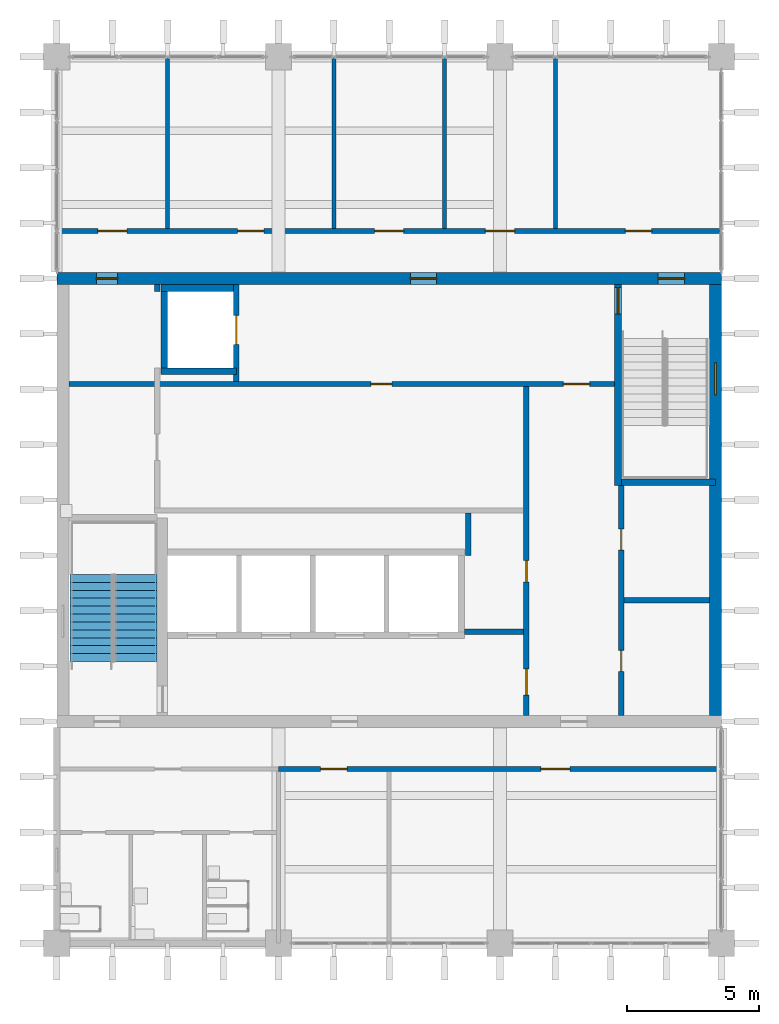
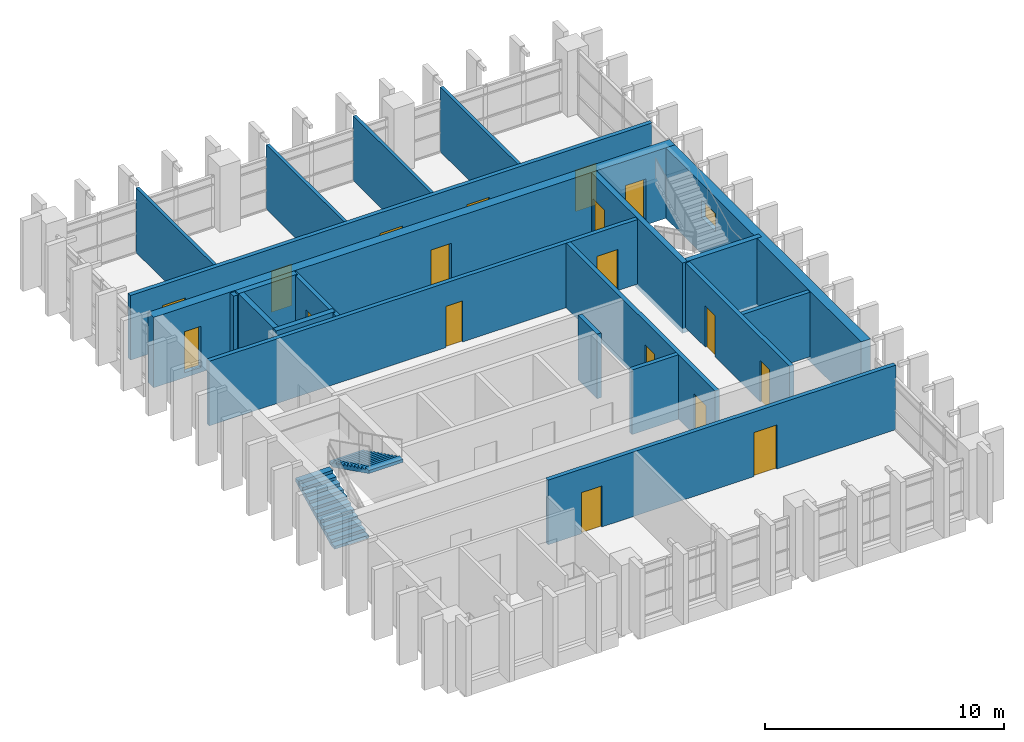
# One storey, part 8 of 11: 21 walls, 18 doors, 2 stair flights, 1 window, 19 openings, 1 element without a shape of its own.
"""IFC4 building model written with IfcOpenShell, lengths in metres."""

from ifc_helpers import new_model, si_unit, direction, frame, frame_2d, origin, place, context, subcontext, project, spatial, polyline, rectangle, outline, extrude, material, layer, layer_set, type_object, element, fill, aggregate, save


model = new_model("IFC4")

# Units and contexts
model_context = context("Model", 3, precision=1e-05, world=origin(), true_north=direction((0.0, 1.0)))
body_context = subcontext(model_context, "Body", "Model", "MODEL_VIEW")
ifc_project = project(units=[si_unit("LENGTHUNIT", "METRE"), si_unit("AREAUNIT", "SQUARE_METRE"), si_unit("VOLUMEUNIT", "CUBIC_METRE"), si_unit("PLANEANGLEUNIT", "RADIAN"), si_unit("MASSUNIT", "GRAM", prefix="KILO")], contexts=[model_context])

# Site, building, storey
site_placement = place(None, origin())
site = spatial("IfcSite", under=ifc_project, at=site_placement, CompositionType="ELEMENT")
building_placement = place(site_placement, origin())
building = spatial("IfcBuilding", under=site, at=building_placement, Name="Rulbaag Community and Learning Centre", CompositionType="ELEMENT")
storey_placement = place(building_placement, frame((0.0, 0.0, 18.0)))
storey = spatial("IfcBuildingStorey", under=building, at=storey_placement, Name="L04", CompositionType="ELEMENT", Elevation=18.0)

# Wall, openings, doors
ifc_material_1 = material(Name="Concrete blockwork", Category="masonry")
ifc_layer_1 = layer(ifc_material_1, 0.199951171875)
ifc_layer_set_1 = layer_set([ifc_layer_1], Name="FW-200 FIRE WALL 200")
wall_type_1 = type_object("IfcWallType", Name="FW-200 FIRE WALL 200", PredefinedType="SOLIDWALL", material=ifc_layer_set_1)
wall_1_placement = place(storey_placement, frame((151.199951171875, 90.60009765625, 0.0), z_axis=(0.0, 0.0, 1.0), x_axis=(1.0, 0.0, 0.0)))
wall_1 = element("IfcWall", 1, at=wall_1_placement, inside=storey, type_object=wall_type_1, Name="Fire wall L04 3", PredefinedType="SOLIDWALL", context=body_context, shape_type="SweptSolid", body=[
    extrude(rectangle(XDim=16.800048828125, YDim=0.199951171875, at=frame_2d((8.39990234375, 0.0))), origin(), (0.0, 0.0, 1.0), 3.300048828125),
])
opening_1_placement = place(wall_1_placement, frame((1.60009765625, 0.0, 0.0)))
opening_1 = element("IfcOpeningElement", 2, at=opening_1_placement, cuts=wall_1, Name="Opening L04-D017", PredefinedType="OPENING", context=body_context, shape_type="SweptSolid", body=[
    extrude(rectangle(XDim=1.0, YDim=2.10009765625, at=frame_2d((0.5, 1.050048828125))), frame((0.0, 0.10986328125, 0.0), z_axis=(0.0, -1.0, 0.0), x_axis=(1.0, 0.0, 0.0)), (0.0, 0.0, 1.0), 0.219970703125),
])
opening_2_placement = place(wall_1_placement, frame((9.949951171875, 0.0, 0.0)))
opening_2 = element("IfcOpeningElement", 3, at=opening_2_placement, cuts=wall_1, Name="Opening L04-D027", PredefinedType="OPENING", context=body_context, shape_type="SweptSolid", body=[
    extrude(rectangle(XDim=1.10009765625, YDim=2.25, at=frame_2d((0.550048828125, 1.125))), frame((0.0, 0.10986328125, 0.0), z_axis=(0.0, -1.0, 0.0), x_axis=(1.0, 0.0, 0.0)), (0.0, 0.0, 1.0), 0.219970703125),
])
ifc_material_2 = material(Name="Timber", Category="wood")
door_type_1 = type_object("IfcDoorType", Name="D-1100 OFFICE SUITE ENTRANCE DOOR 1100 x 2250", OperationType="SINGLE_SWING_LEFT", PredefinedType="DOOR", material=ifc_material_2)
door_1_placement = place(opening_2_placement, origin())
door_1 = element("IfcDoor", 4, at=door_1_placement, inside=storey, type_object=door_type_1, Name="Door L04-D027", OperationType="SINGLE_SWING_RIGHT", OverallHeight=2.25, OverallWidth=1.10009765625, PredefinedType="DOOR", context=body_context, shape_type="SweptSolid", body=[
    extrude(rectangle(XDim=1.10009765625, YDim=2.25, at=frame_2d((0.550048828125, 1.125))), frame((0.0, 0.02490234375, 0.0), z_axis=(0.0, -1.0, 0.0), x_axis=(1.0, 0.0, 0.0)), (0.0, 0.0, 1.0), 0.050048828125),
])
fill(opening_2, door_1)
ifc_material_3 = material(Name="Galvanised steel", Category="steel")
door_type_2 = type_object("IfcDoorType", Name="FD-1000 FIRE DOOR 1000 x 2100", OperationType="SINGLE_SWING_LEFT", PredefinedType="DOOR", material=ifc_material_3)
door_2_placement = place(opening_1_placement, origin())
door_2 = element("IfcDoor", 5, at=door_2_placement, inside=storey, type_object=door_type_2, Name="Door L04-D017", OperationType="SINGLE_SWING_LEFT", OverallHeight=2.10009765625, OverallWidth=1.0, PredefinedType="DOOR", context=body_context, shape_type="SweptSolid", body=[
    extrude(rectangle(XDim=1.0, YDim=2.10009765625, at=frame_2d((0.5, 1.050048828125))), frame((0.0, 0.02490234375, 0.0), z_axis=(0.0, -1.0, 0.0), x_axis=(1.0, 0.0, 0.0)), (0.0, 0.0, 1.0), 0.050048828125),
])
fill(opening_1, door_2)

# Walls
wall_2_placement = place(storey_placement, frame((158.25, 95.800048828125, 0.0), z_axis=(0.0, 0.0, 1.0), x_axis=(1.0, 0.0, 0.0)))
element("IfcWall", 6, at=wall_2_placement, inside=storey, type_object=wall_type_1, Name="Fire wall L04 5", PredefinedType="SOLIDWALL", context=body_context, shape_type="SweptSolid", body=[
    extrude(rectangle(XDim=2.25, YDim=0.199951171875, at=frame_2d((1.125, 0.0))), origin(), (0.0, 0.0, 1.0), 3.300048828125),
])
wall_3_placement = place(storey_placement, frame((164.300048828125, 97.0, 0.0), z_axis=(0.0, 0.0, 1.0), x_axis=(1.0, 0.0, 0.0)))
element("IfcWall", 7, at=wall_3_placement, inside=storey, type_object=wall_type_1, Name="Fire wall L04 6", PredefinedType="SOLIDWALL", context=body_context, shape_type="SweptSolid", body=[
    extrude(rectangle(XDim=3.25, YDim=0.199951171875, at=frame_2d((1.625, 0.0))), origin(), (0.0, 0.0, 1.0), 3.300048828125),
])

# Wall, openings, doors
wall_4_placement = place(storey_placement, frame((143.25, 105.199951171875, 0.0), z_axis=(0.0, 0.0, 1.0), x_axis=(1.0, 0.0, 0.0)))
wall_4 = element("IfcWall", 8, at=wall_4_placement, inside=storey, type_object=wall_type_1, Name="Fire wall L04 9", PredefinedType="SOLIDWALL", context=body_context, shape_type="SweptSolid", body=[
    extrude(rectangle(XDim=20.699951171875, YDim=0.199951171875, at=frame_2d((10.35009765625, 0.0))), origin(), (0.0, 0.0, 1.0), 3.300048828125),
])
opening_3_placement = place(wall_4_placement, frame((11.449951171875, 0.0, 0.0)))
opening_3 = element("IfcOpeningElement", 9, at=opening_3_placement, cuts=wall_4, Name="Opening L04-D020", PredefinedType="OPENING", context=body_context, shape_type="SweptSolid", body=[
    extrude(rectangle(XDim=0.800048828125, YDim=2.10009765625, at=frame_2d((0.39990234375, 1.050048828125))), frame((0.0, 0.10986328125, 0.0), z_axis=(0.0, -1.0, 0.0), x_axis=(1.0, 0.0, 0.0)), (0.0, 0.0, 1.0), 0.219970703125),
])
opening_4_placement = place(wall_4_placement, frame((18.75, 0.0, 0.0)))
opening_4 = element("IfcOpeningElement", 10, at=opening_4_placement, cuts=wall_4, Name="Opening L04-D029", PredefinedType="OPENING", context=body_context, shape_type="SweptSolid", body=[
    extrude(rectangle(XDim=1.0, YDim=2.10009765625, at=frame_2d((0.5, 1.050048828125))), frame((0.0, 0.10986328125, 0.0), z_axis=(0.0, -1.0, 0.0), x_axis=(1.0, 0.0, 0.0)), (0.0, 0.0, 1.0), 0.219970703125),
])
door_3_placement = place(opening_4_placement, origin())
door_3 = element("IfcDoor", 11, at=door_3_placement, inside=storey, type_object=door_type_2, Name="Door L04-D029", OperationType="SINGLE_SWING_LEFT", OverallHeight=2.10009765625, OverallWidth=1.0, PredefinedType="DOOR", context=body_context, shape_type="SweptSolid", body=[
    extrude(rectangle(XDim=1.0, YDim=2.10009765625, at=frame_2d((0.5, 1.050048828125))), frame((0.0, 0.02490234375, 0.0), z_axis=(0.0, -1.0, 0.0), x_axis=(1.0, 0.0, 0.0)), (0.0, 0.0, 1.0), 0.050048828125),
])
fill(opening_4, door_3)
door_type_3 = type_object("IfcDoorType", Name="FDR-800 RISER FIRE DOOR 800 x 2100", OperationType="SINGLE_SWING_LEFT", PredefinedType="DOOR", material=ifc_material_3)
door_4_placement = place(opening_3_placement, origin())
door_4 = element("IfcDoor", 12, at=door_4_placement, inside=storey, type_object=door_type_3, Name="Riser door L04-D023", OperationType="SINGLE_SWING_RIGHT", OverallHeight=2.10009765625, OverallWidth=0.800048828125, PredefinedType="DOOR", context=body_context, shape_type="SweptSolid", body=[
    extrude(rectangle(XDim=0.800048828125, YDim=2.10009765625, at=frame_2d((0.39990234375, 1.050048828125))), frame((0.0, 0.02490234375, 0.0), z_axis=(0.0, -1.0, 0.0), x_axis=(1.0, 0.0, 0.0)), (0.0, 0.0, 1.0), 0.050048828125),
])
fill(opening_3, door_4)

wall_5_placement = place(storey_placement, frame((142.800048828125, 111.0, 0.0), z_axis=(0.0, 0.0, 1.0), x_axis=(1.0, 0.0, 0.0)))
wall_5 = element("IfcWall", 13, at=wall_5_placement, inside=storey, type_object=wall_type_1, Name="Fire wall L04 10", PredefinedType="SOLIDWALL", context=body_context, shape_type="SweptSolid", body=[
    extrude(rectangle(XDim=25.199951171875, YDim=0.199951171875, at=frame_2d((12.60009765625, 0.0))), origin(), (0.0, 0.0, 1.0), 3.300048828125),
])
opening_5_placement = place(wall_5_placement, frame((1.550048828125, 0.0, 0.0)))
opening_5 = element("IfcOpeningElement", 14, at=opening_5_placement, cuts=wall_5, Name="Opening L04-D005", PredefinedType="OPENING", context=body_context, shape_type="SweptSolid", body=[
    extrude(rectangle(XDim=1.10009765625, YDim=2.25, at=frame_2d((0.550048828125, 1.125))), frame((0.0, 0.10986328125, 0.0), z_axis=(0.0, -1.0, 0.0), x_axis=(1.0, 0.0, 0.0)), (0.0, 0.0, 1.0), 0.219970703125),
])
opening_6_placement = place(wall_5_placement, frame((6.85009765625, 0.0, 0.0)))
opening_6 = element("IfcOpeningElement", 15, at=opening_6_placement, cuts=wall_5, Name="Opening L04-D015", PredefinedType="OPENING", context=body_context, shape_type="SweptSolid", body=[
    extrude(rectangle(XDim=1.0, YDim=2.10009765625, at=frame_2d((0.5, 1.050048828125))), frame((0.0, 0.10986328125, 0.0), z_axis=(0.0, -1.0, 0.0), x_axis=(1.0, 0.0, 0.0)), (0.0, 0.0, 1.0), 0.219970703125),
])
opening_7_placement = place(wall_5_placement, frame((12.050048828125, 0.0, 0.0)))
opening_7 = element("IfcOpeningElement", 16, at=opening_7_placement, cuts=wall_5, Name="Opening L04-D021", PredefinedType="OPENING", context=body_context, shape_type="SweptSolid", body=[
    extrude(rectangle(XDim=1.10009765625, YDim=2.25, at=frame_2d((0.550048828125, 1.125))), frame((0.0, 0.10986328125, 0.0), z_axis=(0.0, -1.0, 0.0), x_axis=(1.0, 0.0, 0.0)), (0.0, 0.0, 1.0), 0.219970703125),
])
opening_8_placement = place(wall_5_placement, frame((16.25, 0.0, 0.0)))
opening_8 = element("IfcOpeningElement", 17, at=opening_8_placement, cuts=wall_5, Name="Opening L04-D024", PredefinedType="OPENING", context=body_context, shape_type="SweptSolid", body=[
    extrude(rectangle(XDim=1.10009765625, YDim=2.25, at=frame_2d((0.550048828125, 1.125))), frame((0.0, 0.10986328125, 0.0), z_axis=(0.0, -1.0, 0.0), x_axis=(1.0, 0.0, 0.0)), (0.0, 0.0, 1.0), 0.219970703125),
])
opening_9_placement = place(wall_5_placement, frame((21.550048828125, 0.0, 0.0)))
opening_9 = element("IfcOpeningElement", 18, at=opening_9_placement, cuts=wall_5, Name="Opening L04-D033", PredefinedType="OPENING", context=body_context, shape_type="SweptSolid", body=[
    extrude(rectangle(XDim=1.0, YDim=2.10009765625, at=frame_2d((0.5, 1.050048828125))), frame((0.0, 0.10986328125, 0.0), z_axis=(0.0, -1.0, 0.0), x_axis=(1.0, 0.0, 0.0)), (0.0, 0.0, 1.0), 0.219970703125),
])
door_5_placement = place(opening_5_placement, origin())
door_5 = element("IfcDoor", 19, at=door_5_placement, inside=storey, type_object=door_type_1, Name="Door L04-D005", OperationType="SINGLE_SWING_RIGHT", OverallHeight=2.25, OverallWidth=1.10009765625, PredefinedType="DOOR", context=body_context, shape_type="SweptSolid", body=[
    extrude(rectangle(XDim=1.10009765625, YDim=2.25, at=frame_2d((0.550048828125, 1.125))), frame((0.0, 0.02490234375, 0.0), z_axis=(0.0, -1.0, 0.0), x_axis=(1.0, 0.0, 0.0)), (0.0, 0.0, 1.0), 0.050048828125),
])
fill(opening_5, door_5)
door_6_placement = place(opening_7_placement, origin())
door_6 = element("IfcDoor", 20, at=door_6_placement, inside=storey, type_object=door_type_1, Name="Door L04-D021", OperationType="SINGLE_SWING_RIGHT", OverallHeight=2.25, OverallWidth=1.10009765625, PredefinedType="DOOR", context=body_context, shape_type="SweptSolid", body=[
    extrude(rectangle(XDim=1.10009765625, YDim=2.25, at=frame_2d((0.550048828125, 1.125))), frame((0.0, 0.02490234375, 0.0), z_axis=(0.0, -1.0, 0.0), x_axis=(1.0, 0.0, 0.0)), (0.0, 0.0, 1.0), 0.050048828125),
])
fill(opening_7, door_6)
door_7_placement = place(opening_8_placement, origin())
door_7 = element("IfcDoor", 21, at=door_7_placement, inside=storey, type_object=door_type_1, Name="Door L04-D024", OperationType="SINGLE_SWING_LEFT", OverallHeight=2.25, OverallWidth=1.10009765625, PredefinedType="DOOR", context=body_context, shape_type="SweptSolid", body=[
    extrude(rectangle(XDim=1.10009765625, YDim=2.25, at=frame_2d((0.550048828125, 1.125))), frame((0.0, 0.02490234375, 0.0), z_axis=(0.0, -1.0, 0.0), x_axis=(1.0, 0.0, 0.0)), (0.0, 0.0, 1.0), 0.050048828125),
])
fill(opening_8, door_7)
door_8_placement = place(opening_6_placement, origin())
door_8 = element("IfcDoor", 22, at=door_8_placement, inside=storey, type_object=door_type_2, Name="Door L04-D015", OperationType="SINGLE_SWING_RIGHT", OverallHeight=2.10009765625, OverallWidth=1.0, PredefinedType="DOOR", context=body_context, shape_type="SweptSolid", body=[
    extrude(rectangle(XDim=1.0, YDim=2.10009765625, at=frame_2d((0.5, 1.050048828125))), frame((0.0, 0.02490234375, 0.0), z_axis=(0.0, -1.0, 0.0), x_axis=(1.0, 0.0, 0.0)), (0.0, 0.0, 1.0), 0.050048828125),
])
fill(opening_6, door_8)
door_9_placement = place(opening_9_placement, origin())
door_9 = element("IfcDoor", 23, at=door_9_placement, inside=storey, type_object=door_type_2, Name="Door L04-D033", OperationType="SINGLE_SWING_LEFT", OverallHeight=2.10009765625, OverallWidth=1.0, PredefinedType="DOOR", context=body_context, shape_type="SweptSolid", body=[
    extrude(rectangle(XDim=1.0, YDim=2.10009765625, at=frame_2d((0.5, 1.050048828125))), frame((0.0, 0.02490234375, 0.0), z_axis=(0.0, -1.0, 0.0), x_axis=(1.0, 0.0, 0.0)), (0.0, 0.0, 1.0), 0.050048828125),
])
fill(opening_9, door_9)

# Wall
wall_6_placement = place(storey_placement, frame((146.60009765625, 108.699951171875, 0.0), z_axis=(0.0, 0.0, 1.0), x_axis=(0.0, 1.0, 0.0)))
element("IfcWall", 24, at=wall_6_placement, inside=storey, type_object=wall_type_1, Name="Fire wall L04 13", PredefinedType="SOLIDWALL", context=body_context, shape_type="SweptSolid", body=[
    extrude(rectangle(XDim=0.275146484375, YDim=0.199951171875, at=frame_2d((0.1376953125, 0.0))), origin(), (0.0, 0.0, 1.0), 3.300048828125),
])

# Wall, opening, door
wall_7_placement = place(storey_placement, frame((149.60009765625, 105.300048828125, 0.0), z_axis=(0.0, 0.0, 1.0), x_axis=(0.0, 1.0, 0.0)))
wall_7 = element("IfcWall", 25, at=wall_7_placement, inside=storey, type_object=wall_type_1, Name="Fire wall L04 16", PredefinedType="SOLIDWALL", context=body_context, shape_type="SweptSolid", body=[
    extrude(rectangle(XDim=3.675048828125, YDim=0.199951171875, at=frame_2d((1.83740234375, 0.0))), origin(), (0.0, 0.0, 1.0), 3.300048828125),
])
opening_10_placement = place(wall_7_placement, frame((1.39990234375, 0.0, 0.0)))
opening_10 = element("IfcOpeningElement", 26, at=opening_10_placement, cuts=wall_7, Name="Opening L04-D011", PredefinedType="OPENING", context=body_context, shape_type="SweptSolid", body=[
    extrude(rectangle(XDim=1.10009765625, YDim=2.10009765625, at=frame_2d((0.550048828125, 1.050048828125))), frame((0.0, 0.10986328125, 0.0), z_axis=(0.0, -1.0, 0.0), x_axis=(1.0, 0.0, 0.0)), (0.0, 0.0, 1.0), 0.219970703125),
])
ifc_material_4 = material(Name="Stainless steel grade 304", Category="steel")
door_type_4 = type_object("IfcDoorType", Name="LD-1100 LIFT LANDING DOOR 1100 x 2100", OperationType="SLIDING_TO_LEFT", PredefinedType="DOOR", material=ifc_material_4)
door_10_placement = place(opening_10_placement, origin())
door_10 = element("IfcDoor", 27, at=door_10_placement, inside=storey, type_object=door_type_4, Name="Lift landing door LF1 L04", OperationType="SLIDING_TO_LEFT", OverallHeight=2.10009765625, OverallWidth=1.10009765625, PredefinedType="DOOR", context=body_context, shape_type="SweptSolid", body=[
    extrude(rectangle(XDim=1.10009765625, YDim=2.10009765625, at=frame_2d((0.550048828125, 1.050048828125))), frame((0.0, 0.02490234375, 0.0), z_axis=(0.0, -1.0, 0.0), x_axis=(1.0, 0.0, 0.0)), (0.0, 0.0, 1.0), 0.050048828125),
])
fill(opening_10, door_10)

# Wall
wall_8_placement = place(storey_placement, frame((158.39990234375, 98.699951171875, 0.0), z_axis=(0.0, 0.0, 1.0), x_axis=(0.0, 1.0, 0.0)))
element("IfcWall", 28, at=wall_8_placement, inside=storey, type_object=wall_type_1, Name="Fire wall L04 21", PredefinedType="SOLIDWALL", context=body_context, shape_type="SweptSolid", body=[
    extrude(rectangle(XDim=1.60009765625, YDim=0.199951171875, at=frame_2d((0.800048828125, 0.0))), origin(), (0.0, 0.0, 1.0), 3.300048828125),
])

# Wall, openings, doors
wall_9_placement = place(storey_placement, frame((160.60009765625, 92.625, 0.0), z_axis=(0.0, 0.0, 1.0), x_axis=(0.0, 1.0, 0.0)))
wall_9 = element("IfcWall", 29, at=wall_9_placement, inside=storey, type_object=wall_type_1, Name="Fire wall L04 22", PredefinedType="SOLIDWALL", context=body_context, shape_type="SweptSolid", body=[
    extrude(rectangle(XDim=12.47509765625, YDim=0.199951171875, at=frame_2d((6.237548828125, 0.0))), origin(), (0.0, 0.0, 1.0), 3.300048828125),
])
opening_11_placement = place(wall_9_placement, frame((5.074951171875, 0.0, 0.0)))
opening_11 = element("IfcOpeningElement", 30, at=opening_11_placement, cuts=wall_9, Name="Opening L04-D026", PredefinedType="OPENING", context=body_context, shape_type="SweptSolid", body=[
    extrude(rectangle(XDim=0.800048828125, YDim=2.10009765625, at=frame_2d((0.39990234375, 1.050048828125))), frame((0.0, 0.10986328125, 0.0), z_axis=(0.0, -1.0, 0.0), x_axis=(1.0, 0.0, 0.0)), (0.0, 0.0, 1.0), 0.219970703125),
])
opening_12_placement = place(wall_9_placement, frame((0.77490234375, 0.0, 0.0)))
opening_12 = element("IfcOpeningElement", 31, at=opening_12_placement, cuts=wall_9, Name="Opening L04-D025", PredefinedType="OPENING", context=body_context, shape_type="SweptSolid", body=[
    extrude(rectangle(XDim=1.0, YDim=2.10009765625, at=frame_2d((0.5, 1.050048828125))), frame((0.0, 0.10986328125, 0.0), z_axis=(0.0, -1.0, 0.0), x_axis=(1.0, 0.0, 0.0)), (0.0, 0.0, 1.0), 0.219970703125),
])
door_11_placement = place(opening_12_placement, origin())
door_11 = element("IfcDoor", 32, at=door_11_placement, inside=storey, type_object=door_type_2, Name="Door L04-D025", OperationType="SINGLE_SWING_LEFT", OverallHeight=2.10009765625, OverallWidth=1.0, PredefinedType="DOOR", context=body_context, shape_type="SweptSolid", body=[
    extrude(rectangle(XDim=1.0, YDim=2.10009765625, at=frame_2d((0.5, 1.050048828125))), frame((0.0, 0.02490234375, 0.0), z_axis=(0.0, -1.0, 0.0), x_axis=(1.0, 0.0, 0.0)), (0.0, 0.0, 1.0), 0.050048828125),
])
fill(opening_12, door_11)
door_12_placement = place(opening_11_placement, origin())
door_12 = element("IfcDoor", 33, at=door_12_placement, inside=storey, type_object=door_type_3, Name="Riser door L04-D022", OperationType="SINGLE_SWING_RIGHT", OverallHeight=2.10009765625, OverallWidth=0.800048828125, PredefinedType="DOOR", context=body_context, shape_type="SweptSolid", body=[
    extrude(rectangle(XDim=0.800048828125, YDim=2.10009765625, at=frame_2d((0.39990234375, 1.050048828125))), frame((0.0, 0.02490234375, 0.0), z_axis=(0.0, -1.0, 0.0), x_axis=(1.0, 0.0, 0.0)), (0.0, 0.0, 1.0), 0.050048828125),
])
fill(opening_11, door_12)

wall_10_placement = place(storey_placement, frame((164.199951171875, 92.625, 0.0), z_axis=(0.0, 0.0, 1.0), x_axis=(0.0, 1.0, 0.0)))
wall_10 = element("IfcWall", 34, at=wall_10_placement, inside=storey, type_object=wall_type_1, Name="Fire wall L04 24", PredefinedType="SOLIDWALL", context=body_context, shape_type="SweptSolid", body=[
    extrude(rectangle(XDim=8.72509765625, YDim=0.199951171875, at=frame_2d((4.362548828125, 0.0))), origin(), (0.0, 0.0, 1.0), 3.300048828125),
])
opening_13_placement = place(wall_10_placement, frame((1.675048828125, 0.0, 0.0)))
opening_13 = element("IfcOpeningElement", 35, at=opening_13_placement, cuts=wall_10, Name="Opening L04-D031", PredefinedType="OPENING", context=body_context, shape_type="SweptSolid", body=[
    extrude(rectangle(XDim=0.800048828125, YDim=2.10009765625, at=frame_2d((0.39990234375, 1.050048828125))), frame((0.0, 0.10986328125, 0.0), z_axis=(0.0, -1.0, 0.0), x_axis=(1.0, 0.0, 0.0)), (0.0, 0.0, 1.0), 0.219970703125),
])
opening_14_placement = place(wall_10_placement, frame((6.27490234375, 0.0, 0.0)))
opening_14 = element("IfcOpeningElement", 36, at=opening_14_placement, cuts=wall_10, Name="Opening L04-D032", PredefinedType="OPENING", context=body_context, shape_type="SweptSolid", body=[
    extrude(rectangle(XDim=0.800048828125, YDim=2.10009765625, at=frame_2d((0.39990234375, 1.050048828125))), frame((0.0, 0.10986328125, 0.0), z_axis=(0.0, -1.0, 0.0), x_axis=(1.0, 0.0, 0.0)), (0.0, 0.0, 1.0), 0.219970703125),
])
door_13_placement = place(opening_13_placement, origin())
door_13 = element("IfcDoor", 37, at=door_13_placement, inside=storey, type_object=door_type_3, Name="Riser door L04-D020", OperationType="SINGLE_SWING_LEFT", OverallHeight=2.10009765625, OverallWidth=0.800048828125, PredefinedType="DOOR", context=body_context, shape_type="SweptSolid", body=[
    extrude(rectangle(XDim=0.800048828125, YDim=2.10009765625, at=frame_2d((0.39990234375, 1.050048828125))), frame((0.0, 0.02490234375, 0.0), z_axis=(0.0, -1.0, 0.0), x_axis=(1.0, 0.0, 0.0)), (0.0, 0.0, 1.0), 0.050048828125),
])
fill(opening_13, door_13)
door_14_placement = place(opening_14_placement, origin())
door_14 = element("IfcDoor", 38, at=door_14_placement, inside=storey, type_object=door_type_3, Name="Riser door L04-D021", OperationType="SINGLE_SWING_RIGHT", OverallHeight=2.10009765625, OverallWidth=0.800048828125, PredefinedType="DOOR", context=body_context, shape_type="SweptSolid", body=[
    extrude(rectangle(XDim=0.800048828125, YDim=2.10009765625, at=frame_2d((0.39990234375, 1.050048828125))), frame((0.0, 0.02490234375, 0.0), z_axis=(0.0, -1.0, 0.0), x_axis=(1.0, 0.0, 0.0)), (0.0, 0.0, 1.0), 0.050048828125),
])
fill(opening_14, door_14)

# Walls
ifc_layer_2 = layer(ifc_material_1, 0.14990234375)
ifc_layer_set_2 = layer_set([ifc_layer_2], Name="IP-150 PARTITION 150")
wall_type_2 = type_object("IfcWallType", Name="IP-150 PARTITION 150", PredefinedType="PARTITIONING", material=ifc_layer_set_2)
for number, where, z_axis, x_axis, name in (
    (39, (147.0, 111.10009765625, 0.0), (0.0, 0.0, 1.0), (0.0, 1.0, 0.0), "Partition L04 14"),
    (40, (153.300048828125, 111.10009765625, 0.0), (0.0, 0.0, 1.0), (0.0, 1.0, 0.0), "Partition L04 18"),
    (41, (157.5, 111.10009765625, 0.0), (0.0, 0.0, 1.0), (0.0, 1.0, 0.0), "Partition L04 20"),
    (42, (161.699951171875, 111.10009765625, 0.0), (0.0, 0.0, 1.0), (0.0, 1.0, 0.0), "Partition L04 23"),
):
    element("IfcWall", number, at=place(storey_placement, frame(where, z_axis=z_axis, x_axis=x_axis)), inside=storey, type_object=wall_type_2, Name=name, PredefinedType="PARTITIONING", context=body_context, shape_type="SweptSolid", body=[
        extrude(rectangle(XDim=6.5, YDim=0.14990234375, at=frame_2d((3.25, 0.0))), origin(), (0.0, 0.0, 1.0), 3.300048828125),
    ])

# Wall, openings, doors
ifc_material_5 = material(Name="Concrete M60", Category="concrete")
ifc_layer_3 = layer(ifc_material_5, 0.449951171875)
ifc_layer_set_3 = layer_set([ifc_layer_3], Name="W1 Core wall 450 Concrete M60")
wall_type_3 = type_object("IfcWallType", Name="W1 Core wall 450 Concrete M60", PredefinedType="SHEAR", material=ifc_layer_set_3)
wall_11_placement = place(storey_placement, frame((142.800048828125, 109.199951171875, -0.25), z_axis=(0.0, 0.0, 1.0), x_axis=(1.0, 0.0, 0.0)))
wall_11 = element("IfcWall", 43, at=wall_11_placement, inside=storey, type_object=wall_type_3, Name="WL-CORE-N-L04", PredefinedType="SHEAR", context=body_context, shape_type="SweptSolid", body=[
    extrude(rectangle(XDim=25.199951171875, YDim=0.449951171875, at=frame_2d((12.60009765625, 0.0))), origin(), (0.0, 0.0, 1.0), 3.60009765625),
])
opening_15_placement = place(wall_11_placement, frame((22.800048828125, 0.0, 0.25)))
opening_15 = element("IfcOpeningElement", 44, at=opening_15_placement, cuts=wall_11, Name="Opening L04-D034", PredefinedType="OPENING", context=body_context, shape_type="SweptSolid", body=[
    extrude(rectangle(XDim=1.0, YDim=2.10009765625, at=frame_2d((0.5, 1.050048828125))), frame((0.0, 0.23486328125, 0.0), z_axis=(0.0, -1.0, 0.0), x_axis=(1.0, 0.0, 0.0)), (0.0, 0.0, 1.0), 0.469970703125),
])
opening_16_placement = place(wall_11_placement, frame((1.5, 0.0, 0.25)))
opening_16 = element("IfcOpeningElement", 45, at=opening_16_placement, cuts=wall_11, Name="Opening L04-D004", PredefinedType="OPENING", context=body_context, shape_type="SweptSolid", body=[
    extrude(rectangle(XDim=0.800048828125, YDim=2.10009765625, at=frame_2d((0.39990234375, 1.050048828125))), frame((0.0, 0.23486328125, 0.0), z_axis=(0.0, -1.0, 0.0), x_axis=(1.0, 0.0, 0.0)), (0.0, 0.0, 1.0), 0.469970703125),
])
opening_17_placement = place(wall_11_placement, frame((13.39990234375, 0.0, 0.25)))
opening_17 = element("IfcOpeningElement", 46, at=opening_17_placement, cuts=wall_11, Name="Opening L04-D023", PredefinedType="OPENING", context=body_context, shape_type="SweptSolid", body=[
    extrude(rectangle(XDim=1.0, YDim=2.10009765625, at=frame_2d((0.5, 1.050048828125))), frame((0.0, 0.23486328125, 0.0), z_axis=(0.0, -1.0, 0.0), x_axis=(1.0, 0.0, 0.0)), (0.0, 0.0, 1.0), 0.469970703125),
])
door_15_placement = place(opening_15_placement, origin())
door_15 = element("IfcDoor", 47, at=door_15_placement, inside=storey, type_object=door_type_2, Name="Door L04-D034", OperationType="SINGLE_SWING_LEFT", OverallHeight=2.10009765625, OverallWidth=1.0, PredefinedType="DOOR", context=body_context, shape_type="SweptSolid", body=[
    extrude(rectangle(XDim=1.0, YDim=2.10009765625, at=frame_2d((0.5, 1.050048828125))), frame((0.0, 0.02490234375, 0.0), z_axis=(0.0, -1.0, 0.0), x_axis=(1.0, 0.0, 0.0)), (0.0, 0.0, 1.0), 0.050048828125),
])
fill(opening_15, door_15)
door_16_placement = place(opening_17_placement, origin())
door_16 = element("IfcDoor", 48, at=door_16_placement, inside=storey, type_object=door_type_2, Name="Door L04-D023", OperationType="SINGLE_SWING_LEFT", OverallHeight=2.10009765625, OverallWidth=1.0, PredefinedType="DOOR", context=body_context, shape_type="SweptSolid", body=[
    extrude(rectangle(XDim=1.0, YDim=2.10009765625, at=frame_2d((0.5, 1.050048828125))), frame((0.0, 0.02490234375, 0.0), z_axis=(0.0, -1.0, 0.0), x_axis=(1.0, 0.0, 0.0)), (0.0, 0.0, 1.0), 0.050048828125),
])
fill(opening_17, door_16)
door_17_placement = place(opening_16_placement, origin())
door_17 = element("IfcDoor", 49, at=door_17_placement, inside=storey, type_object=door_type_3, Name="Riser door L04-D025", OperationType="SINGLE_SWING_LEFT", OverallHeight=2.10009765625, OverallWidth=0.800048828125, PredefinedType="DOOR", context=body_context, shape_type="SweptSolid", body=[
    extrude(rectangle(XDim=0.800048828125, YDim=2.10009765625, at=frame_2d((0.39990234375, 1.050048828125))), frame((0.0, 0.02490234375, 0.0), z_axis=(0.0, -1.0, 0.0), x_axis=(1.0, 0.0, 0.0)), (0.0, 0.0, 1.0), 0.050048828125),
])
fill(opening_16, door_17)

# Wall, opening, window
wall_12_placement = place(storey_placement, frame((167.77490234375, 92.625, -0.25), z_axis=(0.0, 0.0, 1.0), x_axis=(0.0, 1.0, 0.0)))
wall_12 = element("IfcWall", 50, at=wall_12_placement, inside=storey, type_object=wall_type_3, Name="WL-CORE-E-L04", PredefinedType="SHEAR", context=body_context, shape_type="SweptSolid", body=[
    extrude(rectangle(XDim=16.35009765625, YDim=0.449951171875, at=frame_2d((8.175048828125, 0.0))), origin(), (0.0, 0.0, 1.0), 3.60009765625),
])
opening_18_placement = place(wall_12_placement, frame((12.175048828125, 0.0, 1.85009765625)))
opening_18 = element("IfcOpeningElement", 51, at=opening_18_placement, cuts=wall_12, Name="Opening WN19", PredefinedType="OPENING", context=body_context, shape_type="SweptSolid", body=[
    extrude(rectangle(XDim=1.199951171875, YDim=0.89990234375, at=frame_2d((0.60009765625, 0.449951171875))), frame((0.0, 0.23486328125, 0.0), z_axis=(0.0, -1.0, 0.0), x_axis=(1.0, 0.0, 0.0)), (0.0, 0.0, 1.0), 0.469970703125),
])
ifc_material_6 = material(Name="Aluminium", Category="aluminium")
window_type = type_object("IfcWindowType", Name="WS-12", PartitioningType="SINGLE_PANEL", PredefinedType="WINDOW", material=ifc_material_6)
window_placement = place(opening_18_placement, origin())
window = element("IfcWindow", 52, at=window_placement, inside=storey, type_object=window_type, Name="Stair window", OverallHeight=0.89990234375, OverallWidth=1.199951171875, PartitioningType="SINGLE_PANEL", PredefinedType="WINDOW", context=body_context, shape_type="SweptSolid", body=[
    extrude(rectangle(XDim=1.199951171875, YDim=0.89990234375, at=frame_2d((0.60009765625, 0.449951171875))), frame((0.0, 0.030029296875, 0.0), z_axis=(0.0, -1.0, 0.0), x_axis=(1.0, 0.0, 0.0)), (0.0, 0.0, 1.0), 0.06005859375),
])
fill(opening_18, window)

# Wall
ifc_material_7 = material(Name="Concrete M40", Category="concrete")
ifc_layer_4 = layer(ifc_material_7, 0.27490234375)
ifc_layer_set_4 = layer_set([ifc_layer_4], Name="W16 Shaft wall 275 Concrete M40")
wall_type_4 = type_object("IfcWallType", Name="W16 Shaft wall 275 Concrete M40", PredefinedType="SHEAR", material=ifc_layer_set_4)
wall_13_placement = place(storey_placement, frame((146.75, 108.83740234375, -0.25), z_axis=(0.0, 0.0, 1.0), x_axis=(1.0, 0.0, 0.0)))
element("IfcWall", 53, at=wall_13_placement, inside=storey, type_object=wall_type_4, Name="WL-LF-N-L04", PredefinedType="SHEAR", context=body_context, shape_type="SweptSolid", body=[
    extrude(rectangle(XDim=2.85009765625, YDim=0.27490234375, at=frame_2d((1.425048828125, 0.0))), origin(), (0.0, 0.0, 1.0), 3.60009765625),
])

# Wall, opening, door
ifc_layer_5 = layer(ifc_material_7, 0.25)
ifc_layer_set_5 = layer_set([ifc_layer_5], Name="W5 Shaft wall 250 Concrete M40")
wall_type_5 = type_object("IfcWallType", Name="W5 Shaft wall 250 Concrete M40", PredefinedType="SHEAR", material=ifc_layer_set_5)
wall_14_placement = place(storey_placement, frame((164.074951171875, 101.35009765625, -0.25), z_axis=(0.0, 0.0, 1.0), x_axis=(0.0, 1.0, 0.0)))
wall_14 = element("IfcWall", 54, at=wall_14_placement, inside=storey, type_object=wall_type_5, Name="WL-ST2-W-L04", PredefinedType="SHEAR", context=body_context, shape_type="SweptSolid", body=[
    extrude(rectangle(XDim=7.625, YDim=0.25, at=frame_2d((3.8125, 0.0))), origin(), (0.0, 0.0, 1.0), 3.60009765625),
])
opening_19_placement = place(wall_14_placement, frame((6.5, 0.0, 0.25)))
opening_19 = element("IfcOpeningElement", 55, at=opening_19_placement, cuts=wall_14, Name="Opening L04-D030", PredefinedType="OPENING", context=body_context, shape_type="SweptSolid", body=[
    extrude(rectangle(XDim=1.0, YDim=2.10009765625, at=frame_2d((0.5, 1.050048828125))), frame((0.0, 0.135009765625, 0.0), z_axis=(0.0, -1.0, 0.0), x_axis=(1.0, 0.0, 0.0)), (0.0, 0.0, 1.0), 0.27001953125),
])
door_18_placement = place(opening_19_placement, origin())
door_18 = element("IfcDoor", 56, at=door_18_placement, inside=storey, type_object=door_type_2, Name="Door L04-D030", OperationType="SINGLE_SWING_LEFT", OverallHeight=2.10009765625, OverallWidth=1.0, PredefinedType="DOOR", context=body_context, shape_type="SweptSolid", body=[
    extrude(rectangle(XDim=1.0, YDim=2.10009765625, at=frame_2d((0.5, 1.050048828125))), frame((0.0, 0.02490234375, 0.0), z_axis=(0.0, -1.0, 0.0), x_axis=(1.0, 0.0, 0.0)), (0.0, 0.0, 1.0), 0.050048828125),
])
fill(opening_19, door_18)

# Walls
wall_15_placement = place(storey_placement, frame((164.199951171875, 101.47509765625, -0.25), z_axis=(0.0, 0.0, 1.0), x_axis=(1.0, 0.0, 0.0)))
element("IfcWall", 57, at=wall_15_placement, inside=storey, type_object=wall_type_5, Name="WL-ST2-S-L04", PredefinedType="SHEAR", context=body_context, shape_type="SweptSolid", body=[
    extrude(rectangle(XDim=3.574951171875, YDim=0.25, at=frame_2d((1.78759765625, 0.0))), origin(), (0.0, 0.0, 1.0), 3.60009765625),
])
wall_16_placement = place(storey_placement, frame((146.75, 105.675048828125, -0.25), z_axis=(0.0, 0.0, 1.0), x_axis=(1.0, 0.0, 0.0)))
element("IfcWall", 58, at=wall_16_placement, inside=storey, type_object=wall_type_5, Name="WL-LF-S-L04", PredefinedType="SHEAR", context=body_context, shape_type="SweptSolid", body=[
    extrude(rectangle(XDim=2.85009765625, YDim=0.25, at=frame_2d((1.425048828125, 0.0))), origin(), (0.0, 0.0, 1.0), 3.60009765625),
])
wall_17_placement = place(storey_placement, frame((146.875, 105.800048828125, -0.25), z_axis=(0.0, 0.0, 1.0), x_axis=(0.0, 1.0, 0.0)))
element("IfcWall", 59, at=wall_17_placement, inside=storey, type_object=wall_type_5, Name="WL-LF-W-L04", PredefinedType="SHEAR", context=body_context, shape_type="SweptSolid", body=[
    extrude(rectangle(XDim=2.89990234375, YDim=0.25, at=frame_2d((1.449951171875, 0.0))), origin(), (0.0, 0.0, 1.0), 3.60009765625),
])

# Stair, stair flights
stair_type = type_object("IfcStairType", Name="ST-1650 STAIR 1650 WIDE", PredefinedType="HALF_TURN_STAIR", material=ifc_material_7)
stair_placement = place(storey_placement, origin())
stair = element("IfcStair", 60, at=stair_placement, inside=storey, type_object=stair_type, Name="Stair ST1 L04", PredefinedType="HALF_TURN_STAIR")
stair_flight_type = type_object("IfcStairFlightType", Name="FL-1650 FLIGHT 1650 WIDE Concrete M40", PredefinedType="STRAIGHT", material=ifc_material_7)
stair_flight_1_placement = place(storey_placement, frame((144.125, 94.675048828125, 0.0), z_axis=(0.0, 0.0, 1.0), x_axis=(0.0, 1.0, 0.0)))
stair_flight_1 = element("IfcStairFlight", 61, at=stair_flight_1_placement, type_object=stair_flight_type, Name="ST1 flight 1", NumberOfRisers=12, NumberOfTreads=11, PredefinedType="STRAIGHT", RiserHeight=0.15, TreadLength=0.3, context=body_context, shape_type="SweptSolid", body=[
    extrude(outline(polyline([(0.0, 0.0), (0.0, 0.14990234375), (0.300048828125, 0.14990234375), (0.300048828125, 0.300048828125), (0.60009765625, 0.300048828125), (0.60009765625, 0.449951171875), (0.89990234375, 0.449951171875), (0.89990234375, 0.60009765625), (1.199951171875, 0.60009765625), (1.199951171875, 0.75), (1.5, 0.75), (1.5, 0.89990234375), (1.800048828125, 0.89990234375), (1.800048828125, 1.050048828125), (2.10009765625, 1.050048828125), (2.10009765625, 1.199951171875), (2.39990234375, 1.199951171875), (2.39990234375, 1.35009765625), (2.699951171875, 1.35009765625), (2.699951171875, 1.5), (3.0, 1.5), (3.0, 1.64990234375), (3.300048828125, 1.64990234375), (3.300048828125, 1.49365234375), (0.312744140625, 0.0), (0.0, 0.0)])), frame((0.0, 0.824951171875, 0.0), z_axis=(0.0, -1.0, 0.0), x_axis=(1.0, 0.0, 0.0)), (0.0, 0.0, 1.0), 1.64990234375),
])
stair_flight_2_placement = place(storey_placement, frame((145.77490234375, 97.97509765625, 1.800048828125), z_axis=(0.0, 0.0, 1.0), x_axis=(0.0, -1.0, 0.0)))
stair_flight_2 = element("IfcStairFlight", 62, at=stair_flight_2_placement, type_object=stair_flight_type, Name="ST1 flight 2", NumberOfRisers=12, NumberOfTreads=11, PredefinedType="STRAIGHT", RiserHeight=0.15, TreadLength=0.3, context=body_context, shape_type="SweptSolid", body=[
    extrude(outline(polyline([(0.0, 0.0), (0.0, 0.14990234375), (0.300048828125, 0.14990234375), (0.300048828125, 0.300048828125), (0.60009765625, 0.300048828125), (0.60009765625, 0.449951171875), (0.89990234375, 0.449951171875), (0.89990234375, 0.60009765625), (1.199951171875, 0.60009765625), (1.199951171875, 0.75), (1.5, 0.75), (1.5, 0.89990234375), (1.800048828125, 0.89990234375), (1.800048828125, 1.050048828125), (2.10009765625, 1.050048828125), (2.10009765625, 1.199951171875), (2.39990234375, 1.199951171875), (2.39990234375, 1.35009765625), (2.699951171875, 1.35009765625), (2.699951171875, 1.5), (3.0, 1.5), (3.0, 1.64990234375), (3.300048828125, 1.64990234375), (3.300048828125, 1.49365234375), (0.312744140625, 0.0), (0.0, 0.0)])), frame((0.0, 0.824951171875, 0.0), z_axis=(0.0, -1.0, 0.0), x_axis=(1.0, 0.0, 0.0)), (0.0, 0.0, 1.0), 1.64990234375),
])
aggregate(stair, [stair_flight_1, stair_flight_2])

save(model, "model.ifc")
